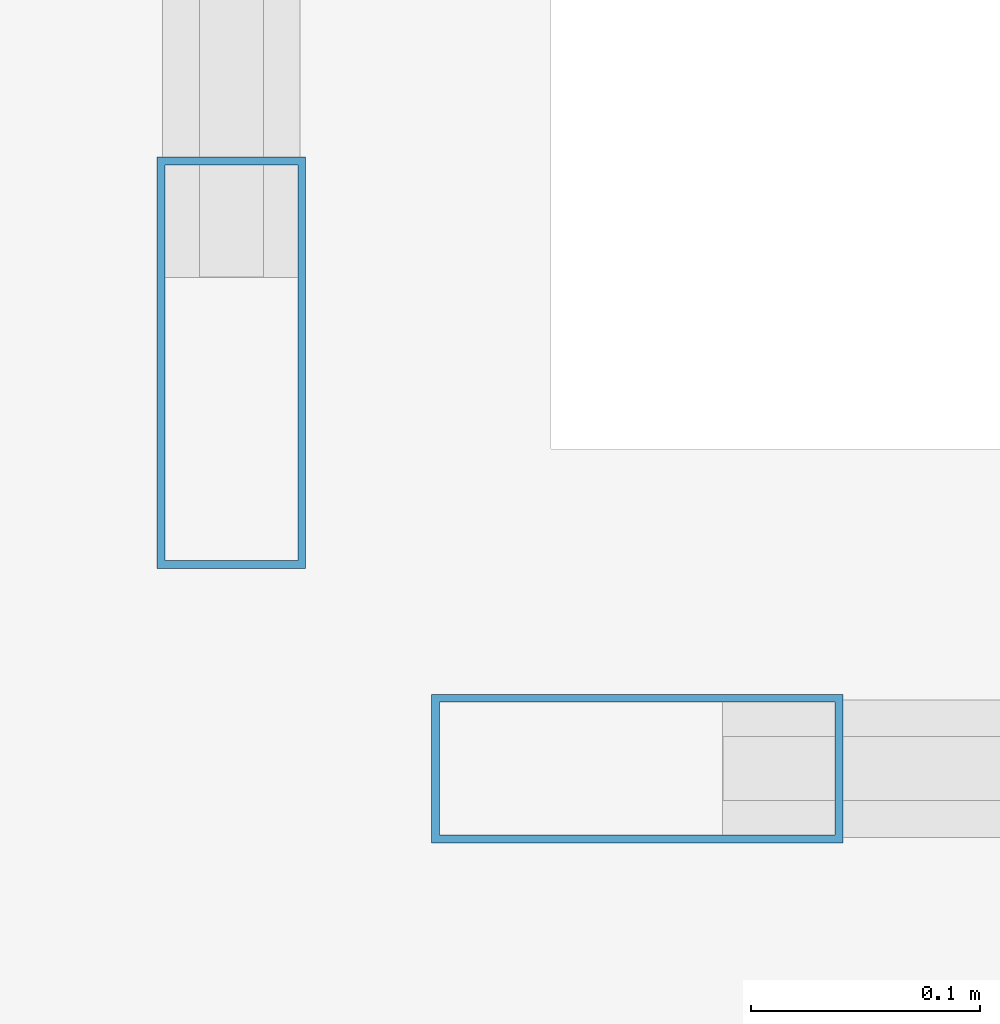
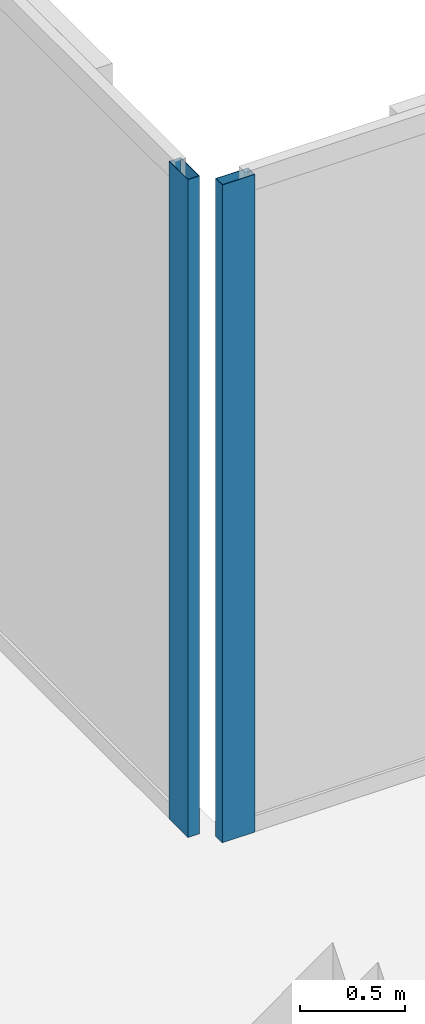
# One storey, part 19 of 29: 2 members, 2 elements without a shape of their own.
"""IFC4 building model written with IfcOpenShell, lengths in metres."""

from ifc_helpers import new_model, si_unit, direction, frame, origin, origin_2d, place, context, subcontext, project, spatial, hollow_rectangle, extrude, material, layer, layer_set, material_profile, profile_set, type_object, element, aggregate, save


model = new_model("IFC4")

# Units and contexts
model_context = context("Model", 3, precision=1e-05, world=origin(), true_north=direction((0.0, 1.0)))
body_context = subcontext(model_context, "Body", "Model", "MODEL_VIEW")
ifc_project = project(units=[si_unit("LENGTHUNIT", "METRE"), si_unit("AREAUNIT", "SQUARE_METRE"), si_unit("VOLUMEUNIT", "CUBIC_METRE"), si_unit("PLANEANGLEUNIT", "RADIAN"), si_unit("MASSUNIT", "GRAM", prefix="KILO")], contexts=[model_context])

# Site, building, storey
site_placement = place(None, origin())
site = spatial("IfcSite", under=ifc_project, at=site_placement, CompositionType="ELEMENT")
building_placement = place(site_placement, origin())
building = spatial("IfcBuilding", under=site, at=building_placement, Name="Nerrivon Quay Data Exchange", CompositionType="ELEMENT")
storey_placement = place(building_placement, frame((0.0, 0.0, 212.39990234375)))
storey = spatial("IfcBuildingStorey", under=building, at=storey_placement, Name="L50", CompositionType="ELEMENT", Elevation=212.39990234375)

# Curtain wall, member
ifc_material = material(Name="Anodised aluminium 6063-T6", Category="aluminium")
ifc_layer = layer(ifc_material, 0.195068359375)
ifc_layer_set = layer_set([ifc_layer], Name="Anodised aluminium 6063-T6")
curtain_wall_type = type_object("IfcCurtainWallType", Name="CW-SYS-06", PredefinedType="NOTDEFINED", material=ifc_layer_set)
curtain_wall_1_placement = place(storey_placement, origin())
curtain_wall_1 = element("IfcCurtainWall", 1, at=curtain_wall_1_placement, inside=storey, type_object=curtain_wall_type, Name="L50 Unitised Curtain Wall 11", PredefinedType="NOTDEFINED")
ifc_material_profile = material_profile(ifc_material, hollow_rectangle(XDim=0.06494140625, YDim=0.179931640625, WallThickness=0.00341796875, at=origin_2d()), Name="ALU-MULL-180x65")
ifc_profile_set = profile_set([ifc_material_profile], Name="Anodised aluminium 6063-T6")
member_type = type_object("IfcMemberType", Name="CWM-180x65", PredefinedType="MULLION", material=ifc_profile_set)
member_1_placement = place(storey_placement, frame((20.860107421875, 46.237548828125, 0.0), z_axis=(0.0, 0.0, 1.0), x_axis=(1.0, 0.0, 0.0)))
member_1 = element("IfcMember", 2, at=member_1_placement, type_object=member_type, Name="CW06 mullion 2", PredefinedType="MULLION", context=body_context, shape_type="SweptSolid", body=[
    extrude(hollow_rectangle(XDim=0.06494140625, YDim=0.179931640625, WallThickness=0.00341796875, at=origin_2d()), origin(), (0.0, 0.0, 1.0), 3.8251953125),
])
aggregate(curtain_wall_1, [member_1])

curtain_wall_2_placement = place(storey_placement, origin())
curtain_wall_2 = element("IfcCurtainWall", 3, at=curtain_wall_2_placement, inside=storey, type_object=curtain_wall_type, Name="L50 Unitised Curtain Wall 12", PredefinedType="NOTDEFINED")
member_2_placement = place(storey_placement, frame((21.03759765625, 46.06005859375, 0.0), z_axis=(0.0, 0.0, 1.0), x_axis=(0.0, 1.0, 0.0)))
member_2 = element("IfcMember", 4, at=member_2_placement, type_object=member_type, Name="CW06 mullion 1", PredefinedType="MULLION", context=body_context, shape_type="SweptSolid", body=[
    extrude(hollow_rectangle(XDim=0.06494140625, YDim=0.179931640625, WallThickness=0.00341796875, at=origin_2d()), origin(), (0.0, 0.0, 1.0), 3.8251953125),
])
aggregate(curtain_wall_2, [member_2])

save(model, "model.ifc")
